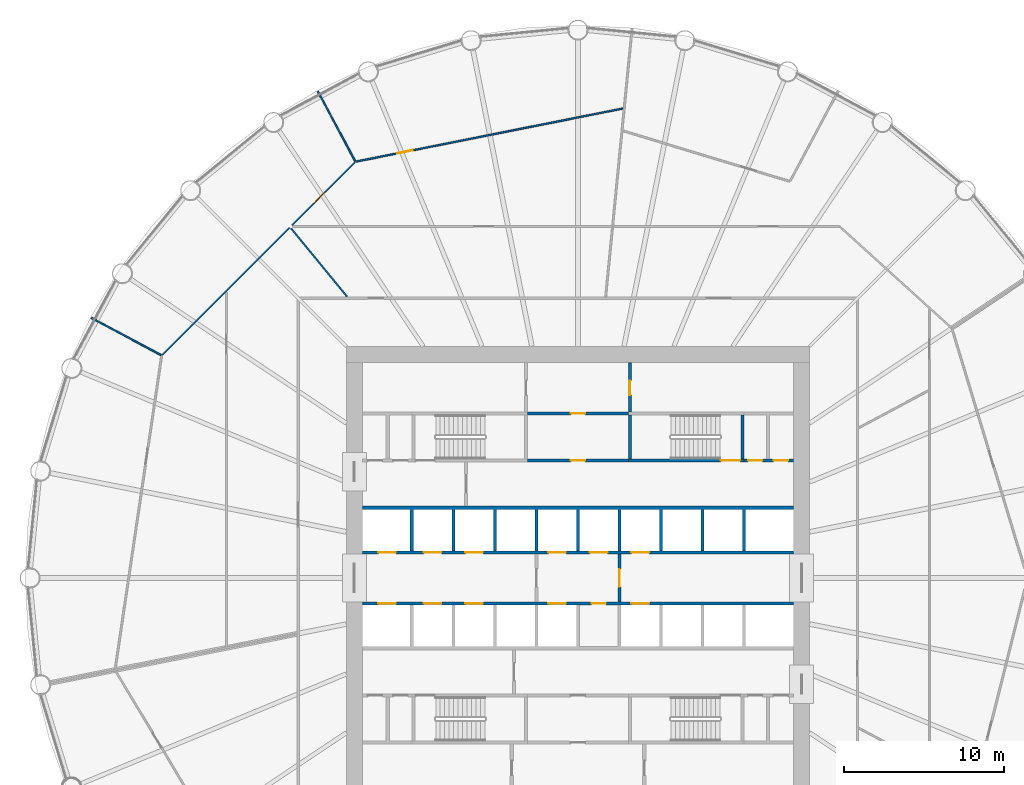
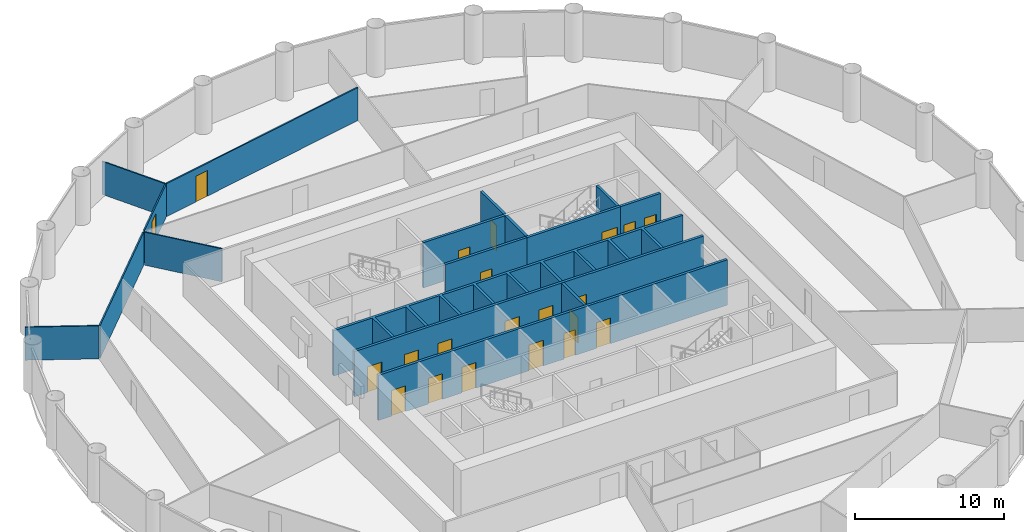
# One storey, part 6 of 8: 21 doors, 17 walls, 21 openings.
"""IFC4 building model written with IfcOpenShell, lengths in metres."""

from ifc_helpers import new_model, si_unit, direction, frame, frame_2d, origin, place, context, subcontext, project, spatial, polyline, rectangle, outline, extrude, material, layer, layer_set, type_object, element, fill, save


model = new_model("IFC4")

# Units and contexts
model_context = context("Model", 3, precision=1e-05, world=origin(), true_north=direction((0.0, 1.0)))
body_context = subcontext(model_context, "Body", "Model", "MODEL_VIEW")
ifc_project = project(units=[si_unit("LENGTHUNIT", "METRE"), si_unit("AREAUNIT", "SQUARE_METRE"), si_unit("VOLUMEUNIT", "CUBIC_METRE"), si_unit("PLANEANGLEUNIT", "RADIAN"), si_unit("MASSUNIT", "GRAM", prefix="KILO")], contexts=[model_context])

# Site, building, storey
site_placement = place(None, origin())
site = spatial("IfcSite", under=ifc_project, at=site_placement, CompositionType="ELEMENT")
building_placement = place(site_placement, origin())
building = spatial("IfcBuilding", under=site, at=building_placement, Name="Corvane Civic Tower", CompositionType="ELEMENT")
storey_placement = place(building_placement, frame((0.0, 0.0, 126.5)))
storey = spatial("IfcBuildingStorey", under=building, at=storey_placement, Name="L29", CompositionType="ELEMENT", Elevation=126.5)

# Wall, openings, doors
ifc_material_1 = material(Name="Concrete C30/37", Category="concrete")
ifc_layer_1 = layer(ifc_material_1, 0.199951171875)
ifc_layer_set_1 = layer_set([ifc_layer_1], Name="Concrete C30/37")
wall_type_1 = type_object("IfcWallType", Name="CR-WALL-200", PredefinedType="PARTITIONING", material=ifc_layer_set_1)
wall_1_placement = place(storey_placement, frame((-13.5, -1.60009765625, 0.0), z_axis=(0.0, 0.0, 1.0), x_axis=(1.0, 0.0, 0.0)))
wall_1 = element("IfcWall", 1, at=wall_1_placement, inside=storey, type_object=wall_type_1, Name="L29 lift shaft wall", PredefinedType="PARTITIONING", context=body_context, shape_type="SweptSolid", body=[
    extrude(rectangle(XDim=27.0, YDim=0.199951171875, at=frame_2d((13.5, 0.0))), origin(), (0.0, 0.0, 1.0), 3.699951171875),
])
opening_1_placement = place(wall_1_placement, frame((1.0, 0.0, 0.0)))
opening_1 = element("IfcOpeningElement", 2, at=opening_1_placement, cuts=wall_1, Name="Opening LD", PredefinedType="OPENING", context=body_context, shape_type="SweptSolid", body=[
    extrude(rectangle(XDim=1.10009765625, YDim=2.10009765625, at=frame_2d((0.550048828125, 1.050048828125))), frame((0.0, 0.10986328125, 0.0), z_axis=(0.0, -1.0, 0.0), x_axis=(1.0, 0.0, 0.0)), (0.0, 0.0, 1.0), 0.219970703125),
])
opening_2_placement = place(wall_1_placement, frame((3.85009765625, 0.0, 0.0)))
opening_2 = element("IfcOpeningElement", 3, at=opening_2_placement, cuts=wall_1, Name="Opening LD", PredefinedType="OPENING", context=body_context, shape_type="SweptSolid", body=[
    extrude(rectangle(XDim=1.10009765625, YDim=2.10009765625, at=frame_2d((0.550048828125, 1.050048828125))), frame((0.0, 0.10986328125, 0.0), z_axis=(0.0, -1.0, 0.0), x_axis=(1.0, 0.0, 0.0)), (0.0, 0.0, 1.0), 0.219970703125),
])
opening_3_placement = place(wall_1_placement, frame((6.449951171875, 0.0, 0.0)))
opening_3 = element("IfcOpeningElement", 4, at=opening_3_placement, cuts=wall_1, Name="Opening LD", PredefinedType="OPENING", context=body_context, shape_type="SweptSolid", body=[
    extrude(rectangle(XDim=1.10009765625, YDim=2.10009765625, at=frame_2d((0.550048828125, 1.050048828125))), frame((0.0, 0.10986328125, 0.0), z_axis=(0.0, -1.0, 0.0), x_axis=(1.0, 0.0, 0.0)), (0.0, 0.0, 1.0), 0.219970703125),
])
opening_4_placement = place(wall_1_placement, frame((11.64990234375, 0.0, 0.0)))
opening_4 = element("IfcOpeningElement", 5, at=opening_4_placement, cuts=wall_1, Name="Opening LD", PredefinedType="OPENING", context=body_context, shape_type="SweptSolid", body=[
    extrude(rectangle(XDim=1.10009765625, YDim=2.10009765625, at=frame_2d((0.550048828125, 1.050048828125))), frame((0.0, 0.10986328125, 0.0), z_axis=(0.0, -1.0, 0.0), x_axis=(1.0, 0.0, 0.0)), (0.0, 0.0, 1.0), 0.219970703125),
])
opening_5_placement = place(wall_1_placement, frame((14.35009765625, 0.0, 0.0)))
opening_5 = element("IfcOpeningElement", 6, at=opening_5_placement, cuts=wall_1, Name="Opening L29.C01", PredefinedType="OPENING", context=body_context, shape_type="SweptSolid", body=[
    extrude(rectangle(XDim=0.89990234375, YDim=2.10009765625, at=frame_2d((0.449951171875, 1.050048828125))), frame((0.0, 0.10986328125, 0.0), z_axis=(0.0, -1.0, 0.0), x_axis=(1.0, 0.0, 0.0)), (0.0, 0.0, 1.0), 0.219970703125),
])
opening_6_placement = place(wall_1_placement, frame((16.85009765625, 0.0, 0.0)))
opening_6 = element("IfcOpeningElement", 7, at=opening_6_placement, cuts=wall_1, Name="Opening LD", PredefinedType="OPENING", context=body_context, shape_type="SweptSolid", body=[
    extrude(rectangle(XDim=1.10009765625, YDim=2.10009765625, at=frame_2d((0.550048828125, 1.050048828125))), frame((0.0, 0.10986328125, 0.0), z_axis=(0.0, -1.0, 0.0), x_axis=(1.0, 0.0, 0.0)), (0.0, 0.0, 1.0), 0.219970703125),
])
ifc_material_2 = material(Name="Steel fire door leaf", Category="steel")
door_type_1 = type_object("IfcDoorType", Name="CR-DOOR-900", OperationType="SINGLE_SWING_LEFT", PredefinedType="DOOR", material=ifc_material_2)
door_1_placement = place(opening_5_placement, origin())
door_1 = element("IfcDoor", 8, at=door_1_placement, inside=storey, type_object=door_type_1, Name="L29 door", OperationType="SINGLE_SWING_LEFT", OverallHeight=2.10009765625, OverallWidth=0.89990234375, PredefinedType="DOOR", context=body_context, shape_type="SweptSolid", body=[
    extrude(rectangle(XDim=0.89990234375, YDim=2.10009765625, at=frame_2d((0.449951171875, 1.050048828125))), frame((0.0, 0.02490234375, 0.0), z_axis=(0.0, -1.0, 0.0), x_axis=(1.0, 0.0, 0.0)), (0.0, 0.0, 1.0), 0.050048828125),
])
fill(opening_5, door_1)
ifc_material_3 = material(Name="Stainless steel 316 door leaves", Category="steel")
door_type_2 = type_object("IfcDoorType", Name="LD", OperationType="DOUBLE_DOOR_SLIDING", PredefinedType="DOOR", material=ifc_material_3)
door_2_placement = place(opening_1_placement, origin())
door_2 = element("IfcDoor", 9, at=door_2_placement, inside=storey, type_object=door_type_2, Name="L29 landing door", OperationType="DOUBLE_DOOR_SLIDING", OverallHeight=2.10009765625, OverallWidth=1.10009765625, PredefinedType="DOOR", context=body_context, shape_type="SweptSolid", body=[
    extrude(rectangle(XDim=1.10009765625, YDim=2.10009765625, at=frame_2d((0.550048828125, 1.050048828125))), frame((0.0, 0.02490234375, 0.0), z_axis=(0.0, -1.0, 0.0), x_axis=(1.0, 0.0, 0.0)), (0.0, 0.0, 1.0), 0.050048828125),
])
fill(opening_1, door_2)
door_3_placement = place(opening_2_placement, origin())
door_3 = element("IfcDoor", 10, at=door_3_placement, inside=storey, type_object=door_type_2, Name="L29 landing door", OperationType="DOUBLE_DOOR_SLIDING", OverallHeight=2.10009765625, OverallWidth=1.10009765625, PredefinedType="DOOR", context=body_context, shape_type="SweptSolid", body=[
    extrude(rectangle(XDim=1.10009765625, YDim=2.10009765625, at=frame_2d((0.550048828125, 1.050048828125))), frame((0.0, 0.02490234375, 0.0), z_axis=(0.0, -1.0, 0.0), x_axis=(1.0, 0.0, 0.0)), (0.0, 0.0, 1.0), 0.050048828125),
])
fill(opening_2, door_3)
door_4_placement = place(opening_3_placement, origin())
door_4 = element("IfcDoor", 11, at=door_4_placement, inside=storey, type_object=door_type_2, Name="L29 landing door", OperationType="DOUBLE_DOOR_SLIDING", OverallHeight=2.10009765625, OverallWidth=1.10009765625, PredefinedType="DOOR", context=body_context, shape_type="SweptSolid", body=[
    extrude(rectangle(XDim=1.10009765625, YDim=2.10009765625, at=frame_2d((0.550048828125, 1.050048828125))), frame((0.0, 0.02490234375, 0.0), z_axis=(0.0, -1.0, 0.0), x_axis=(1.0, 0.0, 0.0)), (0.0, 0.0, 1.0), 0.050048828125),
])
fill(opening_3, door_4)
door_5_placement = place(opening_4_placement, origin())
door_5 = element("IfcDoor", 12, at=door_5_placement, inside=storey, type_object=door_type_2, Name="L29 landing door", OperationType="DOUBLE_DOOR_SLIDING", OverallHeight=2.10009765625, OverallWidth=1.10009765625, PredefinedType="DOOR", context=body_context, shape_type="SweptSolid", body=[
    extrude(rectangle(XDim=1.10009765625, YDim=2.10009765625, at=frame_2d((0.550048828125, 1.050048828125))), frame((0.0, 0.02490234375, 0.0), z_axis=(0.0, -1.0, 0.0), x_axis=(1.0, 0.0, 0.0)), (0.0, 0.0, 1.0), 0.050048828125),
])
fill(opening_4, door_5)
door_6_placement = place(opening_6_placement, origin())
door_6 = element("IfcDoor", 13, at=door_6_placement, inside=storey, type_object=door_type_2, Name="L29 landing door", OperationType="DOUBLE_DOOR_SLIDING", OverallHeight=2.10009765625, OverallWidth=1.10009765625, PredefinedType="DOOR", context=body_context, shape_type="SweptSolid", body=[
    extrude(rectangle(XDim=1.10009765625, YDim=2.10009765625, at=frame_2d((0.550048828125, 1.050048828125))), frame((0.0, 0.02490234375, 0.0), z_axis=(0.0, -1.0, 0.0), x_axis=(1.0, 0.0, 0.0)), (0.0, 0.0, 1.0), 0.050048828125),
])
fill(opening_6, door_6)

wall_2_placement = place(storey_placement, frame((-13.5, 1.60009765625, 0.0), z_axis=(0.0, 0.0, 1.0), x_axis=(1.0, 0.0, 0.0)))
wall_2 = element("IfcWall", 14, at=wall_2_placement, inside=storey, type_object=wall_type_1, Name="L29 lift shaft wall", PredefinedType="PARTITIONING", context=body_context, shape_type="SweptSolid", body=[
    extrude(rectangle(XDim=27.0, YDim=0.199951171875, at=frame_2d((13.5, 0.0))), origin(), (0.0, 0.0, 1.0), 3.699951171875),
])
opening_7_placement = place(wall_2_placement, frame((1.0, 0.0, 0.0)))
opening_7 = element("IfcOpeningElement", 15, at=opening_7_placement, cuts=wall_2, Name="Opening LD", PredefinedType="OPENING", context=body_context, shape_type="SweptSolid", body=[
    extrude(rectangle(XDim=1.10009765625, YDim=2.10009765625, at=frame_2d((0.550048828125, 1.050048828125))), frame((0.0, 0.10986328125, 0.0), z_axis=(0.0, -1.0, 0.0), x_axis=(1.0, 0.0, 0.0)), (0.0, 0.0, 1.0), 0.219970703125),
])
opening_8_placement = place(wall_2_placement, frame((3.85009765625, 0.0, 0.0)))
opening_8 = element("IfcOpeningElement", 16, at=opening_8_placement, cuts=wall_2, Name="Opening LD", PredefinedType="OPENING", context=body_context, shape_type="SweptSolid", body=[
    extrude(rectangle(XDim=1.10009765625, YDim=2.10009765625, at=frame_2d((0.550048828125, 1.050048828125))), frame((0.0, 0.10986328125, 0.0), z_axis=(0.0, -1.0, 0.0), x_axis=(1.0, 0.0, 0.0)), (0.0, 0.0, 1.0), 0.219970703125),
])
opening_9_placement = place(wall_2_placement, frame((6.449951171875, 0.0, 0.0)))
opening_9 = element("IfcOpeningElement", 17, at=opening_9_placement, cuts=wall_2, Name="Opening LD", PredefinedType="OPENING", context=body_context, shape_type="SweptSolid", body=[
    extrude(rectangle(XDim=1.10009765625, YDim=2.10009765625, at=frame_2d((0.550048828125, 1.050048828125))), frame((0.0, 0.10986328125, 0.0), z_axis=(0.0, -1.0, 0.0), x_axis=(1.0, 0.0, 0.0)), (0.0, 0.0, 1.0), 0.219970703125),
])
opening_10_placement = place(wall_2_placement, frame((11.64990234375, 0.0, 0.0)))
opening_10 = element("IfcOpeningElement", 18, at=opening_10_placement, cuts=wall_2, Name="Opening LD", PredefinedType="OPENING", context=body_context, shape_type="SweptSolid", body=[
    extrude(rectangle(XDim=1.10009765625, YDim=2.10009765625, at=frame_2d((0.550048828125, 1.050048828125))), frame((0.0, 0.10986328125, 0.0), z_axis=(0.0, -1.0, 0.0), x_axis=(1.0, 0.0, 0.0)), (0.0, 0.0, 1.0), 0.219970703125),
])
opening_11_placement = place(wall_2_placement, frame((14.25, 0.0, 0.0)))
opening_11 = element("IfcOpeningElement", 19, at=opening_11_placement, cuts=wall_2, Name="Opening LD", PredefinedType="OPENING", context=body_context, shape_type="SweptSolid", body=[
    extrude(rectangle(XDim=1.10009765625, YDim=2.10009765625, at=frame_2d((0.550048828125, 1.050048828125))), frame((0.0, 0.10986328125, 0.0), z_axis=(0.0, -1.0, 0.0), x_axis=(1.0, 0.0, 0.0)), (0.0, 0.0, 1.0), 0.219970703125),
])
opening_12_placement = place(wall_2_placement, frame((16.85009765625, 0.0, 0.0)))
opening_12 = element("IfcOpeningElement", 20, at=opening_12_placement, cuts=wall_2, Name="Opening LD", PredefinedType="OPENING", context=body_context, shape_type="SweptSolid", body=[
    extrude(rectangle(XDim=1.10009765625, YDim=2.10009765625, at=frame_2d((0.550048828125, 1.050048828125))), frame((0.0, 0.10986328125, 0.0), z_axis=(0.0, -1.0, 0.0), x_axis=(1.0, 0.0, 0.0)), (0.0, 0.0, 1.0), 0.219970703125),
])
door_7_placement = place(opening_7_placement, origin())
door_7 = element("IfcDoor", 21, at=door_7_placement, inside=storey, type_object=door_type_2, Name="L29 landing door", OperationType="DOUBLE_DOOR_SLIDING", OverallHeight=2.10009765625, OverallWidth=1.10009765625, PredefinedType="DOOR", context=body_context, shape_type="SweptSolid", body=[
    extrude(rectangle(XDim=1.10009765625, YDim=2.10009765625, at=frame_2d((0.550048828125, 1.050048828125))), frame((0.0, 0.02490234375, 0.0), z_axis=(0.0, -1.0, 0.0), x_axis=(1.0, 0.0, 0.0)), (0.0, 0.0, 1.0), 0.050048828125),
])
fill(opening_7, door_7)
door_8_placement = place(opening_8_placement, origin())
door_8 = element("IfcDoor", 22, at=door_8_placement, inside=storey, type_object=door_type_2, Name="L29 landing door", OperationType="DOUBLE_DOOR_SLIDING", OverallHeight=2.10009765625, OverallWidth=1.10009765625, PredefinedType="DOOR", context=body_context, shape_type="SweptSolid", body=[
    extrude(rectangle(XDim=1.10009765625, YDim=2.10009765625, at=frame_2d((0.550048828125, 1.050048828125))), frame((0.0, 0.02490234375, 0.0), z_axis=(0.0, -1.0, 0.0), x_axis=(1.0, 0.0, 0.0)), (0.0, 0.0, 1.0), 0.050048828125),
])
fill(opening_8, door_8)
door_9_placement = place(opening_9_placement, origin())
door_9 = element("IfcDoor", 23, at=door_9_placement, inside=storey, type_object=door_type_2, Name="L29 landing door", OperationType="DOUBLE_DOOR_SLIDING", OverallHeight=2.10009765625, OverallWidth=1.10009765625, PredefinedType="DOOR", context=body_context, shape_type="SweptSolid", body=[
    extrude(rectangle(XDim=1.10009765625, YDim=2.10009765625, at=frame_2d((0.550048828125, 1.050048828125))), frame((0.0, 0.02490234375, 0.0), z_axis=(0.0, -1.0, 0.0), x_axis=(1.0, 0.0, 0.0)), (0.0, 0.0, 1.0), 0.050048828125),
])
fill(opening_9, door_9)
door_10_placement = place(opening_10_placement, origin())
door_10 = element("IfcDoor", 24, at=door_10_placement, inside=storey, type_object=door_type_2, Name="L29 landing door", OperationType="DOUBLE_DOOR_SLIDING", OverallHeight=2.10009765625, OverallWidth=1.10009765625, PredefinedType="DOOR", context=body_context, shape_type="SweptSolid", body=[
    extrude(rectangle(XDim=1.10009765625, YDim=2.10009765625, at=frame_2d((0.550048828125, 1.050048828125))), frame((0.0, 0.02490234375, 0.0), z_axis=(0.0, -1.0, 0.0), x_axis=(1.0, 0.0, 0.0)), (0.0, 0.0, 1.0), 0.050048828125),
])
fill(opening_10, door_10)
door_11_placement = place(opening_11_placement, origin())
door_11 = element("IfcDoor", 25, at=door_11_placement, inside=storey, type_object=door_type_2, Name="L29 landing door", OperationType="DOUBLE_DOOR_SLIDING", OverallHeight=2.10009765625, OverallWidth=1.10009765625, PredefinedType="DOOR", context=body_context, shape_type="SweptSolid", body=[
    extrude(rectangle(XDim=1.10009765625, YDim=2.10009765625, at=frame_2d((0.550048828125, 1.050048828125))), frame((0.0, 0.02490234375, 0.0), z_axis=(0.0, -1.0, 0.0), x_axis=(1.0, 0.0, 0.0)), (0.0, 0.0, 1.0), 0.050048828125),
])
fill(opening_11, door_11)
door_12_placement = place(opening_12_placement, origin())
door_12 = element("IfcDoor", 26, at=door_12_placement, inside=storey, type_object=door_type_2, Name="L29 landing door", OperationType="DOUBLE_DOOR_SLIDING", OverallHeight=2.10009765625, OverallWidth=1.10009765625, PredefinedType="DOOR", context=body_context, shape_type="SweptSolid", body=[
    extrude(rectangle(XDim=1.10009765625, YDim=2.10009765625, at=frame_2d((0.550048828125, 1.050048828125))), frame((0.0, 0.02490234375, 0.0), z_axis=(0.0, -1.0, 0.0), x_axis=(1.0, 0.0, 0.0)), (0.0, 0.0, 1.0), 0.050048828125),
])
fill(opening_12, door_12)

# Wall, opening, door
wall_3_placement = place(storey_placement, frame((-3.14990234375, 7.35009765625, 0.0), z_axis=(0.0, 0.0, 1.0), x_axis=(1.0, 0.0, 0.0)))
wall_3 = element("IfcWall", 27, at=wall_3_placement, inside=storey, type_object=wall_type_1, Name="L29 core partition wall", PredefinedType="PARTITIONING", context=body_context, shape_type="SweptSolid", body=[
    extrude(rectangle(XDim=6.2998046875, YDim=0.199951171875, at=frame_2d((3.14990234375, 0.0))), origin(), (0.0, 0.0, 1.0), 3.699951171875),
])
opening_13_placement = place(wall_3_placement, frame((2.699951171875, 0.0, 0.0)))
opening_13 = element("IfcOpeningElement", 28, at=opening_13_placement, cuts=wall_3, Name="Opening L29.C02", PredefinedType="OPENING", context=body_context, shape_type="SweptSolid", body=[
    extrude(rectangle(XDim=0.89990234375, YDim=2.10009765625, at=frame_2d((0.449951171875, 1.050048828125))), frame((0.0, 0.10986328125, 0.0), z_axis=(0.0, -1.0, 0.0), x_axis=(1.0, 0.0, 0.0)), (0.0, 0.0, 1.0), 0.219970703125),
])
door_13_placement = place(opening_13_placement, origin())
door_13 = element("IfcDoor", 29, at=door_13_placement, inside=storey, type_object=door_type_1, Name="L29 door", OperationType="SINGLE_SWING_LEFT", OverallHeight=2.10009765625, OverallWidth=0.89990234375, PredefinedType="DOOR", context=body_context, shape_type="SweptSolid", body=[
    extrude(rectangle(XDim=0.89990234375, YDim=2.10009765625, at=frame_2d((0.449951171875, 1.050048828125))), frame((0.0, 0.02490234375, 0.0), z_axis=(0.0, -1.0, 0.0), x_axis=(1.0, 0.0, 0.0)), (0.0, 0.0, 1.0), 0.050048828125),
])
fill(opening_13, door_13)

# Wall, openings, doors
wall_4_placement = place(storey_placement, frame((10.39990234375, 7.35009765625, 0.0), z_axis=(0.0, 0.0, 1.0), x_axis=(1.0, 0.0, 0.0)))
wall_4 = element("IfcWall", 30, at=wall_4_placement, inside=storey, type_object=wall_type_1, Name="L29 core partition wall", PredefinedType="PARTITIONING", context=body_context, shape_type="SweptSolid", body=[
    extrude(rectangle(XDim=3.10009765625, YDim=0.199951171875, at=frame_2d((1.550048828125, 0.0))), origin(), (0.0, 0.0, 1.0), 3.699951171875),
])
opening_14_placement = place(wall_4_placement, frame((0.25, 0.0, 0.0)))
opening_14 = element("IfcOpeningElement", 31, at=opening_14_placement, cuts=wall_4, Name="Opening L29.C14", PredefinedType="OPENING", context=body_context, shape_type="SweptSolid", body=[
    extrude(rectangle(XDim=0.89990234375, YDim=2.10009765625, at=frame_2d((0.449951171875, 1.050048828125))), frame((0.0, 0.10986328125, 0.0), z_axis=(0.0, -1.0, 0.0), x_axis=(1.0, 0.0, 0.0)), (0.0, 0.0, 1.0), 0.219970703125),
])
opening_15_placement = place(wall_4_placement, frame((1.85009765625, 0.0, 0.0)))
opening_15 = element("IfcOpeningElement", 32, at=opening_15_placement, cuts=wall_4, Name="Opening L29.C15", PredefinedType="OPENING", context=body_context, shape_type="SweptSolid", body=[
    extrude(rectangle(XDim=0.89990234375, YDim=2.10009765625, at=frame_2d((0.449951171875, 1.050048828125))), frame((0.0, 0.10986328125, 0.0), z_axis=(0.0, -1.0, 0.0), x_axis=(1.0, 0.0, 0.0)), (0.0, 0.0, 1.0), 0.219970703125),
])
door_14_placement = place(opening_14_placement, origin())
door_14 = element("IfcDoor", 33, at=door_14_placement, inside=storey, type_object=door_type_1, Name="L29 door", OperationType="SINGLE_SWING_LEFT", OverallHeight=2.10009765625, OverallWidth=0.89990234375, PredefinedType="DOOR", context=body_context, shape_type="SweptSolid", body=[
    extrude(rectangle(XDim=0.89990234375, YDim=2.10009765625, at=frame_2d((0.449951171875, 1.050048828125))), frame((0.0, 0.02490234375, 0.0), z_axis=(0.0, -1.0, 0.0), x_axis=(1.0, 0.0, 0.0)), (0.0, 0.0, 1.0), 0.050048828125),
])
fill(opening_14, door_14)
door_15_placement = place(opening_15_placement, origin())
door_15 = element("IfcDoor", 34, at=door_15_placement, inside=storey, type_object=door_type_1, Name="L29 door", OperationType="SINGLE_SWING_LEFT", OverallHeight=2.10009765625, OverallWidth=0.89990234375, PredefinedType="DOOR", context=body_context, shape_type="SweptSolid", body=[
    extrude(rectangle(XDim=0.89990234375, YDim=2.10009765625, at=frame_2d((0.449951171875, 1.050048828125))), frame((0.0, 0.02490234375, 0.0), z_axis=(0.0, -1.0, 0.0), x_axis=(1.0, 0.0, 0.0)), (0.0, 0.0, 1.0), 0.050048828125),
])
fill(opening_15, door_15)

# Wall, opening, door
wall_5_placement = place(storey_placement, frame((-3.14990234375, 10.300048828125, 0.0), z_axis=(0.0, 0.0, 1.0), x_axis=(1.0, 0.0, 0.0)))
wall_5 = element("IfcWall", 35, at=wall_5_placement, inside=storey, type_object=wall_type_1, Name="L29 partition wall", PredefinedType="PARTITIONING", context=body_context, shape_type="SweptSolid", body=[
    extrude(rectangle(XDim=6.2998046875, YDim=0.199951171875, at=frame_2d((3.14990234375, 0.0))), origin(), (0.0, 0.0, 1.0), 3.699951171875),
])
opening_16_placement = place(wall_5_placement, frame((2.699951171875, 0.0, 0.0)))
opening_16 = element("IfcOpeningElement", 36, at=opening_16_placement, cuts=wall_5, Name="Opening L29.C05", PredefinedType="OPENING", context=body_context, shape_type="SweptSolid", body=[
    extrude(rectangle(XDim=0.89990234375, YDim=2.10009765625, at=frame_2d((0.449951171875, 1.050048828125))), frame((0.0, 0.10986328125, 0.0), z_axis=(0.0, -1.0, 0.0), x_axis=(1.0, 0.0, 0.0)), (0.0, 0.0, 1.0), 0.219970703125),
])
door_16_placement = place(opening_16_placement, origin())
door_16 = element("IfcDoor", 37, at=door_16_placement, inside=storey, type_object=door_type_1, Name="L29 door", OperationType="SINGLE_SWING_LEFT", OverallHeight=2.10009765625, OverallWidth=0.89990234375, PredefinedType="DOOR", context=body_context, shape_type="SweptSolid", body=[
    extrude(rectangle(XDim=0.89990234375, YDim=2.10009765625, at=frame_2d((0.449951171875, 1.050048828125))), frame((0.0, 0.02490234375, 0.0), z_axis=(0.0, -1.0, 0.0), x_axis=(1.0, 0.0, 0.0)), (0.0, 0.0, 1.0), 0.050048828125),
])
fill(opening_16, door_16)

wall_6_placement = place(storey_placement, frame((2.60009765625, -1.5, 0.0), z_axis=(0.0, 0.0, 1.0), x_axis=(0.0, 1.0, 0.0)))
wall_6 = element("IfcWall", 38, at=wall_6_placement, inside=storey, type_object=wall_type_1, Name="L29 firefighting lobby wall", PredefinedType="PARTITIONING", context=body_context, shape_type="SweptSolid", body=[
    extrude(rectangle(XDim=3.0, YDim=0.199951171875, at=frame_2d((1.5, 0.0))), origin(), (0.0, 0.0, 1.0), 3.699951171875),
])
opening_17_placement = place(wall_6_placement, frame((0.949951171875, 0.0, 0.0)))
opening_17 = element("IfcOpeningElement", 39, at=opening_17_placement, cuts=wall_6, Name="Opening L29.C23", PredefinedType="OPENING", context=body_context, shape_type="SweptSolid", body=[
    extrude(rectangle(XDim=1.10009765625, YDim=2.10009765625, at=frame_2d((0.550048828125, 1.050048828125))), frame((0.0, 0.10986328125, 0.0), z_axis=(0.0, -1.0, 0.0), x_axis=(1.0, 0.0, 0.0)), (0.0, 0.0, 1.0), 0.219970703125),
])
ifc_material_4 = material(Name="Steel fire door leaf", Category="steel")
door_type_3 = type_object("IfcDoorType", Name="CR-DOOR-FFL-1100", OperationType="SINGLE_SWING_LEFT", PredefinedType="DOOR", material=ifc_material_4)
door_17_placement = place(opening_17_placement, origin())
door_17 = element("IfcDoor", 40, at=door_17_placement, inside=storey, type_object=door_type_3, Name="L29 lobby door", OperationType="SINGLE_SWING_LEFT", OverallHeight=2.10009765625, OverallWidth=1.10009765625, PredefinedType="DOOR", context=body_context, shape_type="SweptSolid", body=[
    extrude(rectangle(XDim=1.10009765625, YDim=2.10009765625, at=frame_2d((0.550048828125, 1.050048828125))), frame((0.0, 0.02490234375, 0.0), z_axis=(0.0, -1.0, 0.0), x_axis=(1.0, 0.0, 0.0)), (0.0, 0.0, 1.0), 0.050048828125),
])
fill(opening_17, door_17)

wall_7_placement = place(storey_placement, frame((3.25, 10.39990234375, 0.0), z_axis=(0.0, 0.0, 1.0), x_axis=(0.0, 1.0, 0.0)))
wall_7 = element("IfcWall", 41, at=wall_7_placement, inside=storey, type_object=wall_type_1, Name="L29 partition wall", PredefinedType="PARTITIONING", context=body_context, shape_type="SweptSolid", body=[
    extrude(rectangle(XDim=3.10009765625, YDim=0.199951171875, at=frame_2d((1.550048828125, 0.0))), origin(), (0.0, 0.0, 1.0), 3.699951171875),
])
opening_18_placement = place(wall_7_placement, frame((1.050048828125, 0.0, 0.0)))
opening_18 = element("IfcOpeningElement", 42, at=opening_18_placement, cuts=wall_7, Name="Opening L29.C06", PredefinedType="OPENING", context=body_context, shape_type="SweptSolid", body=[
    extrude(rectangle(XDim=0.89990234375, YDim=2.10009765625, at=frame_2d((0.449951171875, 1.050048828125))), frame((0.0, 0.10986328125, 0.0), z_axis=(0.0, -1.0, 0.0), x_axis=(1.0, 0.0, 0.0)), (0.0, 0.0, 1.0), 0.219970703125),
])
door_18_placement = place(opening_18_placement, origin())
door_18 = element("IfcDoor", 43, at=door_18_placement, inside=storey, type_object=door_type_1, Name="L29 door", OperationType="SINGLE_SWING_LEFT", OverallHeight=2.10009765625, OverallWidth=0.89990234375, PredefinedType="DOOR", context=body_context, shape_type="SweptSolid", body=[
    extrude(rectangle(XDim=0.89990234375, YDim=2.10009765625, at=frame_2d((0.449951171875, 1.050048828125))), frame((0.0, 0.02490234375, 0.0), z_axis=(0.0, -1.0, 0.0), x_axis=(1.0, 0.0, 0.0)), (0.0, 0.0, 1.0), 0.050048828125),
])
fill(opening_18, door_18)

# Walls
wall_8_placement = place(storey_placement, origin())
element("IfcWall", 44, at=wall_8_placement, inside=storey, type_object=wall_type_1, Name="L29 core partition wall", PredefinedType="PARTITIONING", context=body_context, shape_type="SweptSolid", body=[
    extrude(outline(polyline([(-10.300048828125, 1.699951171875), (-10.5, 1.699951171875), (-10.5, 4.300048828125), (-13.5, 4.300048828125), (-13.5, 4.5), (13.5, 4.5), (13.5, 4.300048828125), (10.5, 4.300048828125), (10.5, 1.699951171875), (10.300048828125, 1.699951171875), (10.300048828125, 4.300048828125), (7.89990234375, 4.300048828125), (7.89990234375, 1.699951171875), (7.699951171875, 1.699951171875), (7.699951171875, 4.300048828125), (5.300048828125, 4.300048828125), (5.300048828125, 1.699951171875), (5.10009765625, 1.699951171875), (5.10009765625, 4.300048828125), (2.699951171875, 4.300048828125), (2.699951171875, 1.699951171875), (2.5, 1.699951171875), (2.5, 4.300048828125), (0.10009765625, 4.300048828125), (0.10009765625, 1.699951171875), (-0.10009765625, 1.699951171875), (-0.10009765625, 4.300048828125), (-2.5, 4.300048828125), (-2.5, 1.699951171875), (-2.699951171875, 1.699951171875), (-2.699951171875, 4.300048828125), (-5.10009765625, 4.300048828125), (-5.10009765625, 1.699951171875), (-5.300048828125, 1.699951171875), (-5.300048828125, 4.300048828125), (-7.699951171875, 4.300048828125), (-7.699951171875, 1.699951171875), (-7.89990234375, 1.699951171875), (-7.89990234375, 4.300048828125), (-10.300048828125, 4.300048828125), (-10.300048828125, 1.699951171875)])), origin(), (0.0, 0.0, 1.0), 3.699951171875),
])
ifc_material_5 = material(Name="Plasterboard")
ifc_layer_2 = layer(ifc_material_5, 0.10009765625)
ifc_layer_set_2 = layer_set([ifc_layer_2], Name="Plasterboard")
wall_type_2 = type_object("IfcWallType", Name="Partition 100 plasterboard on studs", PredefinedType="PARTITIONING", material=ifc_layer_set_2)
wall_9_placement = place(storey_placement, frame((-30.470458984375, 16.286865234375, 0.0), z_axis=(0.0, 0.0, 1.0), x_axis=(0.881920046469, -0.471399015311, 0.0)))
element("IfcWall", 45, at=wall_9_placement, inside=storey, type_object=wall_type_2, Name="Partition L29.028", PredefinedType="PARTITIONING", context=body_context, shape_type="SweptSolid", body=[
    extrude(rectangle(XDim=4.96875, YDim=0.10009765625, at=frame_2d((2.484375, 0.0))), origin(), (0.0, 0.0, 1.0), 2.699951171875),
])
wall_10_placement = place(storey_placement, frame((-26.029296875, 13.953125, 0.0), z_axis=(0.0, 0.0, 1.0), x_axis=(0.707106781187, 0.707106781187, 0.0)))
element("IfcWall", 46, at=wall_10_placement, inside=storey, type_object=wall_type_2, Name="Partition L29.029", PredefinedType="PARTITIONING", context=body_context, shape_type="SweptSolid", body=[
    extrude(rectangle(XDim=11.278564453125, YDim=0.10009765625, at=frame_2d((5.63916015625, 0.0))), origin(), (0.0, 0.0, 1.0), 2.699951171875),
])
wall_11_placement = place(storey_placement, frame((-17.955322265625, 21.87841796875, 0.0), z_axis=(0.0, 0.0, 1.0), x_axis=(0.634408679779, -0.772997818251, 0.0)))
element("IfcWall", 47, at=wall_11_placement, inside=storey, type_object=wall_type_2, Name="Partition L29.034", PredefinedType="PARTITIONING", context=body_context, shape_type="SweptSolid", body=[
    extrude(rectangle(XDim=5.526123046875, YDim=0.10009765625, at=frame_2d((2.76318359375, 0.0))), origin(), (0.0, 0.0, 1.0), 2.699951171875),
])

# Wall, opening, door
wall_12_placement = place(storey_placement, frame((-17.904296875, 22.078369140625, 0.0), z_axis=(0.0, 0.0, 1.0), x_axis=(0.707128627384, 0.707084934315, 0.0)))
wall_12 = element("IfcWall", 48, at=wall_12_placement, inside=storey, type_object=wall_type_2, Name="Partition L29.037", PredefinedType="PARTITIONING", context=body_context, shape_type="SweptSolid", body=[
    extrude(rectangle(XDim=5.587646484375, YDim=0.10009765625, at=frame_2d((2.7939453125, 0.0))), origin(), (0.0, 0.0, 1.0), 2.699951171875),
])
opening_19_placement = place(wall_12_placement, frame((1.938720703125, 0.0, 0.0)))
opening_19 = element("IfcOpeningElement", 49, at=opening_19_placement, cuts=wall_12, Name="Opening L29.005", PredefinedType="OPENING", context=body_context, shape_type="SweptSolid", body=[
    extrude(rectangle(XDim=1.0, YDim=2.10009765625, at=frame_2d((0.5, 1.050048828125))), frame((0.0, 0.06005859375, 0.0), z_axis=(0.0, -1.0, 0.0), x_axis=(1.0, 0.0, 0.0)), (0.0, 0.0, 1.0), 0.1201171875),
])
ifc_material_6 = material(Name="Timber", Category="wood")
door_type_4 = type_object("IfcDoorType", Name="Single door 1000", OperationType="NOTDEFINED", PredefinedType="DOOR", material=ifc_material_6)
door_19_placement = place(opening_19_placement, origin())
door_19 = element("IfcDoor", 50, at=door_19_placement, inside=storey, type_object=door_type_4, Name="Door L29.005", OperationType="SINGLE_SWING_LEFT", OverallHeight=2.10009765625, OverallWidth=1.0, PredefinedType="DOOR", context=body_context, shape_type="SweptSolid", body=[
    extrude(rectangle(XDim=1.0, YDim=2.10009765625, at=frame_2d((0.5, 1.050048828125))), frame((0.0, 0.02490234375, 0.0), z_axis=(0.0, -1.0, 0.0), x_axis=(1.0, 0.0, 0.0)), (0.0, 0.0, 1.0), 0.050048828125),
])
fill(opening_19, door_19)

wall_13_placement = place(storey_placement, frame((-13.890625, 26.062744140625, 0.0), z_axis=(0.0, 0.0, 1.0), x_axis=(0.980781751957, 0.195108059876, 0.0)))
wall_13 = element("IfcWall", 51, at=wall_13_placement, inside=storey, type_object=wall_type_2, Name="Partition L29.040", PredefinedType="PARTITIONING", context=body_context, shape_type="SweptSolid", body=[
    extrude(rectangle(XDim=17.0478515625, YDim=0.10009765625, at=frame_2d((8.52392578125, 0.0))), origin(), (0.0, 0.0, 1.0), 2.699951171875),
])
opening_20_placement = place(wall_13_placement, frame((2.626953125, 0.0, 0.0)))
opening_20 = element("IfcOpeningElement", 52, at=opening_20_placement, cuts=wall_13, Name="Opening L29.006", PredefinedType="OPENING", context=body_context, shape_type="SweptSolid", body=[
    extrude(rectangle(XDim=1.0, YDim=2.10009765625, at=frame_2d((0.5, 1.050048828125))), frame((0.0, 0.06005859375, 0.0), z_axis=(0.0, -1.0, 0.0), x_axis=(1.0, 0.0, 0.0)), (0.0, 0.0, 1.0), 0.1201171875),
])
door_20_placement = place(opening_20_placement, origin())
door_20 = element("IfcDoor", 53, at=door_20_placement, inside=storey, type_object=door_type_4, Name="Door L29.006", OperationType="SINGLE_SWING_RIGHT", OverallHeight=2.10009765625, OverallWidth=1.0, PredefinedType="DOOR", context=body_context, shape_type="SweptSolid", body=[
    extrude(rectangle(XDim=1.0, YDim=2.10009765625, at=frame_2d((0.5, 1.050048828125))), frame((0.0, 0.02490234375, 0.0), z_axis=(0.0, -1.0, 0.0), x_axis=(1.0, 0.0, 0.0)), (0.0, 0.0, 1.0), 0.050048828125),
])
fill(opening_20, door_20)

# Wall
wall_14_placement = place(storey_placement, frame((-16.286865234375, 30.470458984375, 0.0), z_axis=(0.0, 0.0, 1.0), x_axis=(0.471399015311, -0.881920046469, 0.0)))
element("IfcWall", 54, at=wall_14_placement, inside=storey, type_object=wall_type_2, Name="Partition L29.041", PredefinedType="PARTITIONING", context=body_context, shape_type="SweptSolid", body=[
    extrude(rectangle(XDim=4.96875, YDim=0.10009765625, at=frame_2d((2.484375, 0.0))), origin(), (0.0, 0.0, 1.0), 2.699951171875),
])

# Wall, opening, door
ifc_material_7 = material(Name="Concrete C50/60", Category="concrete")
ifc_layer_3 = layer(ifc_material_7, 0.199951171875)
ifc_layer_set_3 = layer_set([ifc_layer_3], Name="Concrete C50/60")
wall_type_3 = type_object("IfcWallType", Name="ST-WALL-200", PredefinedType="SHEAR", material=ifc_layer_set_3)
wall_15_placement = place(storey_placement, frame((3.14990234375, 7.35009765625, 0.0), z_axis=(0.0, 0.0, 1.0), x_axis=(1.0, 0.0, 0.0)))
wall_15 = element("IfcWall", 55, at=wall_15_placement, inside=storey, type_object=wall_type_3, Name="L29 stair enclosure wall", PredefinedType="SHEAR", context=body_context, shape_type="SweptSolid", body=[
    extrude(rectangle(XDim=7.25, YDim=0.199951171875, at=frame_2d((3.625, 0.0))), origin(), (0.0, 0.0, 1.0), 3.699951171875),
])
opening_21_placement = place(wall_15_placement, frame((5.800048828125, 0.0, 0.0)))
opening_21 = element("IfcOpeningElement", 56, at=opening_21_placement, cuts=wall_15, Name="Opening L29.C18", PredefinedType="OPENING", context=body_context, shape_type="SweptSolid", body=[
    extrude(rectangle(XDim=1.199951171875, YDim=2.10009765625, at=frame_2d((0.60009765625, 1.050048828125))), frame((0.0, 0.10986328125, 0.0), z_axis=(0.0, -1.0, 0.0), x_axis=(1.0, 0.0, 0.0)), (0.0, 0.0, 1.0), 0.219970703125),
])
ifc_material_8 = material(Name="Steel fire door leaf", Category="steel")
door_type_5 = type_object("IfcDoorType", Name="ST-DOOR-1200", OperationType="SINGLE_SWING_RIGHT", PredefinedType="DOOR", material=ifc_material_8)
door_21_placement = place(opening_21_placement, origin())
door_21 = element("IfcDoor", 57, at=door_21_placement, inside=storey, type_object=door_type_5, Name="L29 stair door", OperationType="SINGLE_SWING_RIGHT", OverallHeight=2.10009765625, OverallWidth=1.199951171875, PredefinedType="DOOR", context=body_context, shape_type="SweptSolid", body=[
    extrude(rectangle(XDim=1.199951171875, YDim=2.10009765625, at=frame_2d((0.60009765625, 1.050048828125))), frame((0.0, 0.02490234375, 0.0), z_axis=(0.0, -1.0, 0.0), x_axis=(1.0, 0.0, 0.0)), (0.0, 0.0, 1.0), 0.050048828125),
])
fill(opening_21, door_21)

# Walls
wall_16_placement = place(storey_placement, origin())
element("IfcWall", 58, at=wall_16_placement, inside=storey, type_object=wall_type_3, Name="L29 stair enclosure wall", PredefinedType="SHEAR", context=body_context, shape_type="SweptSolid", body=[
    extrude(outline(polyline([(3.35009765625, 7.449951171875), (3.14990234375, 7.449951171875), (3.14990234375, 10.199951171875), (3.35009765625, 10.199951171875), (3.35009765625, 7.449951171875)])), origin(), (0.0, 0.0, 1.0), 3.699951171875),
])
wall_17_placement = place(storey_placement, origin())
element("IfcWall", 59, at=wall_17_placement, inside=storey, type_object=wall_type_3, Name="L29 stair enclosure wall", PredefinedType="SHEAR", context=body_context, shape_type="SweptSolid", body=[
    extrude(outline(polyline([(10.39990234375, 7.449951171875), (10.199951171875, 7.449951171875), (10.199951171875, 10.199951171875), (10.39990234375, 10.199951171875), (10.39990234375, 7.449951171875)])), origin(), (0.0, 0.0, 1.0), 3.699951171875),
])

save(model, "model.ifc")
